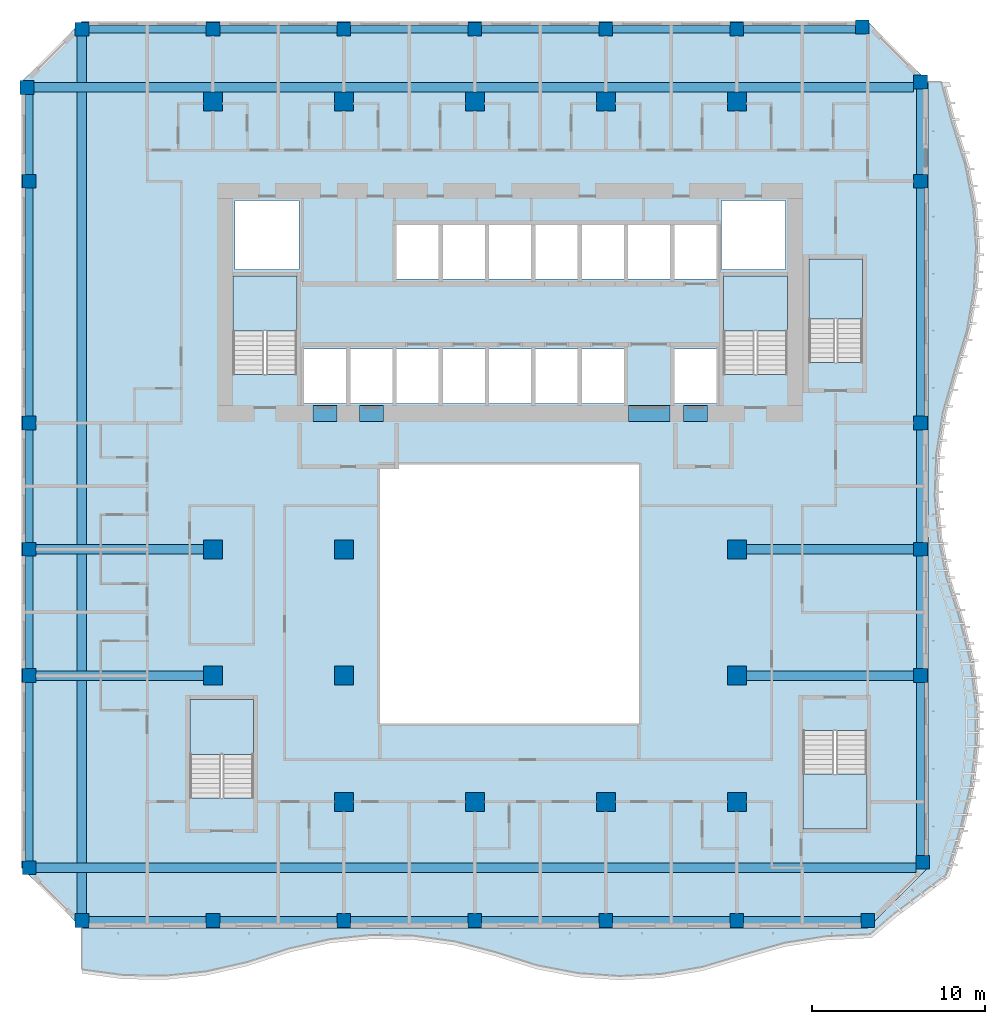
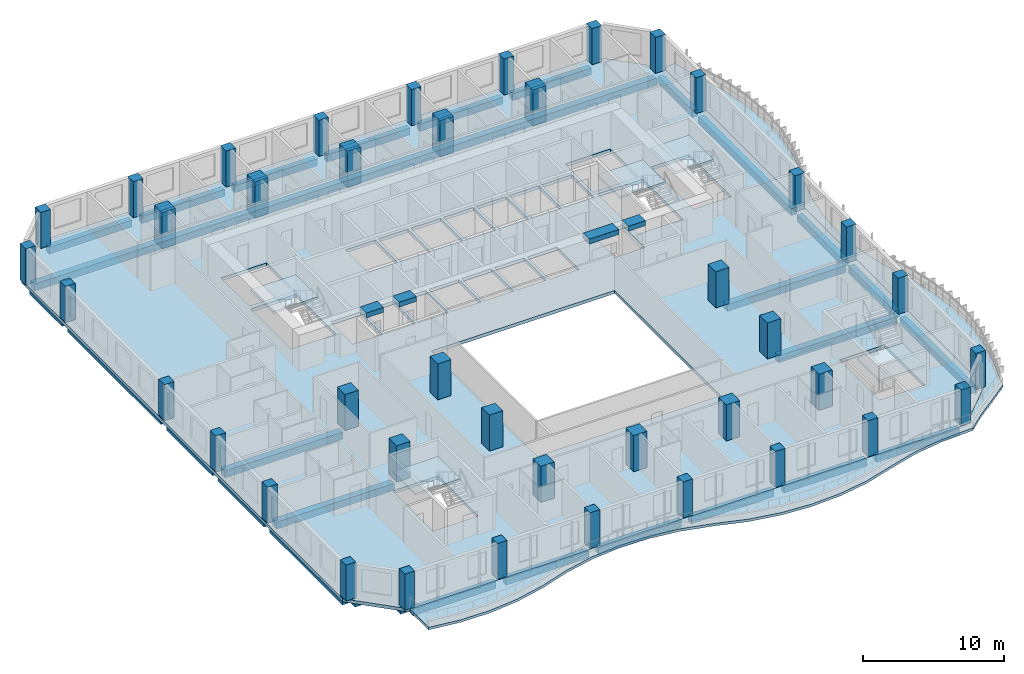
# One storey, part 1 of 22: 41 columns, 33 beams, 7 slabs, 5 elements without a shape of their own.
"""IFC4 building model written with IfcOpenShell, lengths in metres."""

from ifc_helpers import new_model, si_unit, direction, frame, origin, origin_2d, place, context, subcontext, project, spatial, polyline, rectangle, outline, extrude, source, transform, mapped, material, layer, layer_set, material_profile, profile_set, type_object, element, aggregate, save


model = new_model("IFC4")

# Units and contexts
model_context = context("Model", 3, precision=1e-05, world=origin(), true_north=direction((0.0, 1.0)))
body_context = subcontext(model_context, "Body", "Model", "MODEL_VIEW")
ifc_project = project(units=[si_unit("LENGTHUNIT", "METRE"), si_unit("AREAUNIT", "SQUARE_METRE"), si_unit("VOLUMEUNIT", "CUBIC_METRE"), si_unit("PLANEANGLEUNIT", "RADIAN"), si_unit("MASSUNIT", "GRAM", prefix="KILO")], contexts=[model_context])

# Site, building, storey
site_placement = place(None, origin())
site = spatial("IfcSite", under=ifc_project, at=site_placement, CompositionType="ELEMENT")
building_placement = place(site_placement, origin())
building = spatial("IfcBuilding", under=site, at=building_placement, Name="Kilnfold Tower and Market Hall", CompositionType="ELEMENT")
storey_placement = place(building_placement, frame((0.0, 0.0, 143.89990234375)))
storey = spatial("IfcBuildingStorey", under=building, at=storey_placement, Name="L32", CompositionType="ELEMENT", Elevation=143.89990234375)

# Columns
ifc_material_1 = material(Name="Concrete C70", Category="concrete")
ifc_material_profile_1 = material_profile(ifc_material_1, rectangle(XDim=0.800048828125, YDim=0.800048828125, at=origin_2d()), Name="RC 800x800")
ifc_profile_set_1 = profile_set([ifc_material_profile_1], Name="Concrete C70")
column_type_1 = type_object("IfcColumnType", Name="COLUMN 800X800 C70", PredefinedType="COLUMN", material=ifc_profile_set_1)
shared_shape_1 = source(origin(), body_context, "Body", "SweptSolid", [
    extrude(rectangle(XDim=0.800048828125, YDim=0.800048828125, at=origin_2d()), origin(), (0.0, 0.0, 1.0), 3.1201171875),
])
for number, where, z_axis, x_axis, name in (
    (1, (-26.931884765625, 27.431884765625, 0.0), (0.0, 0.0, 1.0), (1.0, 0.0, 0.0), "Column C-B4-1I"),
    (2, (-26.800048828125, -17.75, 0.0), (0.0, 0.0, 1.0), (1.0, 0.0, 0.0), "Column C-B4-1B"),
    (3, (-26.800048828125, -6.625, 0.0), (0.0, 0.0, 1.0), (1.0, 0.0, 0.0), "Column C-B4-1D"),
    (4, (-26.800048828125, 0.6875, 0.0), (0.0, 0.0, 1.0), (1.0, 0.0, 0.0), "Column C-B4-1E"),
    (5, (-26.800048828125, 8.0, 0.0), (0.0, 0.0, 1.0), (1.0, 0.0, 0.0), "Column C-B4-1F"),
    (6, (-26.800048828125, 22.0, 0.0), (0.0, 0.0, 1.0), (1.0, 0.0, 0.0), "Column C-B4-1G"),
    (7, (-23.75, -20.800048828125, 0.0), (0.0, 0.0, 1.0), (1.0, 0.0, 0.0), "Column C-B4-2A"),
    (8, (-23.75, 30.800048828125, 0.0), (0.0, 0.0, 1.0), (1.0, 0.0, 0.0), "Column C-B4-2J"),
    (9, (-16.166748046875, -20.800048828125, 0.0), (0.0, 0.0, 1.0), (1.0, 0.0, 0.0), "Column C-B4-3A"),
    (10, (-16.166748046875, 30.800048828125, 0.0), (0.0, 0.0, 1.0), (1.0, 0.0, 0.0), "Column C-B4-3J"),
    (11, (-8.583251953125, -20.800048828125, 0.0), (0.0, 0.0, 1.0), (1.0, 0.0, 0.0), "Column C-B4-4A"),
    (12, (-8.583251953125, 30.800048828125, 0.0), (0.0, 0.0, 1.0), (1.0, 0.0, 0.0), "Column C-B4-4J"),
    (13, (-1.0, -20.800048828125, 0.0), (0.0, 0.0, 1.0), (1.0, 0.0, 0.0), "Column C-B4-5A"),
    (14, (-1.0, 30.800048828125, 0.0), (0.0, 0.0, 1.0), (1.0, 0.0, 0.0), "Column C-B4-5J"),
    (15, (6.583251953125, -20.800048828125, 0.0), (0.0, 0.0, 1.0), (1.0, 0.0, 0.0), "Column C-B4-6A"),
    (16, (6.583251953125, 30.800048828125, 0.0), (0.0, 0.0, 1.0), (1.0, 0.0, 0.0), "Column C-B4-6J"),
    (17, (14.166748046875, -20.800048828125, 0.0), (0.0, 0.0, 1.0), (1.0, 0.0, 0.0), "Column C-B4-7A"),
    (18, (14.166748046875, 30.800048828125, 0.0), (0.0, 0.0, 1.0), (1.0, 0.0, 0.0), "Column C-B4-7J"),
    (19, (21.431884765625, 30.931884765625, 0.0), (0.0, 0.0, 1.0), (1.0, 0.0, 0.0), "Column C-B4-8J"),
    (20, (21.75, -20.800048828125, 0.0), (0.0, 0.0, 1.0), (1.0, 0.0, 0.0), "Column C-B4-8A"),
    (21, (24.800048828125, -6.625, 0.0), (0.0, 0.0, 1.0), (1.0, 0.0, 0.0), "Column C-B4-9D"),
    (22, (24.800048828125, 0.6875, 0.0), (0.0, 0.0, 1.0), (1.0, 0.0, 0.0), "Column C-B4-9E"),
    (23, (24.800048828125, 8.0, 0.0), (0.0, 0.0, 1.0), (1.0, 0.0, 0.0), "Column C-B4-9F"),
    (24, (24.800048828125, 22.0, 0.0), (0.0, 0.0, 1.0), (1.0, 0.0, 0.0), "Column C-B4-9G"),
    (25, (24.800048828125, 27.75, 0.0), (0.0, 0.0, 1.0), (1.0, 0.0, 0.0), "Column C-B4-9I"),
    (26, (24.931884765625, -17.431884765625, 0.0), (0.0, 0.0, 1.0), (1.0, 0.0, 0.0), "Column C-B4-9B"),
):
    element("IfcColumn", number, at=place(storey_placement, frame(where, z_axis=z_axis, x_axis=x_axis)), inside=storey, type_object=column_type_1, Name=name, PredefinedType="COLUMN", context=body_context, shape_type="MappedRepresentation", body=[
        mapped(shared_shape_1, transform((0.0, 0.0, 0.0))),
    ])
ifc_material_2 = material(Name="Concrete C70", Category="concrete")
ifc_material_profile_2 = material_profile(ifc_material_2, rectangle(XDim=1.10009765625, YDim=1.10009765625, at=origin_2d()), Name="RC 1100x1100")
ifc_profile_set_2 = profile_set([ifc_material_profile_2], Name="Concrete C70")
column_type_2 = type_object("IfcColumnType", Name="COLUMN 1100X1100 C70", PredefinedType="COLUMN", material=ifc_profile_set_2)
shared_shape_2 = source(origin(), body_context, "Body", "SweptSolid", [
    extrude(rectangle(XDim=1.10009765625, YDim=1.10009765625, at=origin_2d()), origin(), (0.0, 0.0, 1.0), 3.1201171875),
])
for number, where, z_axis, x_axis, name in (
    (27, (-16.166748046875, -6.625, 0.0), (0.0, 0.0, 1.0), (1.0, 0.0, 0.0), "Column C-B4-3D"),
    (28, (-16.166748046875, 0.6875, 0.0), (0.0, 0.0, 1.0), (1.0, 0.0, 0.0), "Column C-B4-3E"),
    (29, (-16.166748046875, 26.625, 0.0), (0.0, 0.0, 1.0), (1.0, 0.0, 0.0), "Column C-B4-3H"),
    (30, (-8.583251953125, -13.9375, 0.0), (0.0, 0.0, 1.0), (1.0, 0.0, 0.0), "Column C-B4-4C"),
    (31, (-8.583251953125, -6.625, 0.0), (0.0, 0.0, 1.0), (1.0, 0.0, 0.0), "Column C-B4-4D"),
    (32, (-8.583251953125, 0.6875, 0.0), (0.0, 0.0, 1.0), (1.0, 0.0, 0.0), "Column C-B4-4E"),
    (33, (-8.583251953125, 26.625, 0.0), (0.0, 0.0, 1.0), (1.0, 0.0, 0.0), "Column C-B4-4H"),
    (34, (-1.0, -13.9375, 0.0), (0.0, 0.0, 1.0), (1.0, 0.0, 0.0), "Column C-B4-5C"),
    (35, (-1.0, 26.625, 0.0), (0.0, 0.0, 1.0), (1.0, 0.0, 0.0), "Column C-B4-5H"),
    (36, (6.583251953125, -13.9375, 0.0), (0.0, 0.0, 1.0), (1.0, 0.0, 0.0), "Column C-B4-6C"),
    (37, (6.583251953125, 26.625, 0.0), (0.0, 0.0, 1.0), (1.0, 0.0, 0.0), "Column C-B4-6H"),
    (38, (14.166748046875, -13.9375, 0.0), (0.0, 0.0, 1.0), (1.0, 0.0, 0.0), "Column C-B4-7C"),
    (39, (14.166748046875, -6.625, 0.0), (0.0, 0.0, 1.0), (1.0, 0.0, 0.0), "Column C-B4-7D"),
    (40, (14.166748046875, 0.6875, 0.0), (0.0, 0.0, 1.0), (1.0, 0.0, 0.0), "Column C-B4-7E"),
    (41, (14.166748046875, 26.625, 0.0), (0.0, 0.0, 1.0), (1.0, 0.0, 0.0), "Column C-B4-7H"),
):
    element("IfcColumn", number, at=place(storey_placement, frame(where, z_axis=z_axis, x_axis=x_axis)), inside=storey, type_object=column_type_2, Name=name, PredefinedType="COLUMN", context=body_context, shape_type="MappedRepresentation", body=[
        mapped(shared_shape_2, transform((0.0, 0.0, 0.0))),
    ])

# Beams
ifc_material_3 = material(Name="Concrete C70", Category="concrete")
ifc_material_profile_3 = material_profile(ifc_material_3, rectangle(XDim=0.89990234375, YDim=0.419921875, at=origin_2d()), Name="RC 900x420")
ifc_profile_set_3 = profile_set([ifc_material_profile_3], Name="Concrete C70")
beam_type_1 = type_object("IfcBeamType", Name="COUPLING BEAM 900X420 C70", PredefinedType="BEAM", material=ifc_profile_set_3)
shared_shape_3 = source(origin(), body_context, "Body", "SweptSolid", [
    extrude(rectangle(XDim=0.89990234375, YDim=0.419921875, at=origin_2d()), origin(), (0.0, 0.0, 1.0), 1.400146484375),
])
beam_1_placement = place(storey_placement, frame((-10.3701171875, 8.550048828125, 2.91015625), z_axis=(1.0, 0.0, 0.0), x_axis=(0.0, 1.0, 0.0)))
element("IfcBeam", 42, at=beam_1_placement, inside=storey, type_object=beam_type_1, Name="Coupling beam CB420-70-CORE.37", PredefinedType="BEAM", context=body_context, shape_type="MappedRepresentation", body=[
    mapped(shared_shape_3, transform((0.0, 0.0, 0.0))),
])
shared_shape_4 = source(origin(), body_context, "Body", "SweptSolid", [
    extrude(rectangle(XDim=0.89990234375, YDim=0.419921875, at=origin_2d()), origin(), (0.0, 0.0, 1.0), 1.39990234375),
])
for number, where, z_axis, x_axis, name in (
    (43, (-7.68994140625, 8.550048828125, 2.91015625), (1.0, 0.0, 0.0), (0.0, 1.0, 0.0), "Coupling beam CB420-70-CORE.38"),
    (44, (11.070068359375, 8.550048828125, 2.91015625), (1.0, 0.0, 0.0), (0.0, 1.0, 0.0), "Coupling beam CB420-70-CORE.40"),
):
    element("IfcBeam", number, at=place(storey_placement, frame(where, z_axis=z_axis, x_axis=x_axis)), inside=storey, type_object=beam_type_1, Name=name, PredefinedType="BEAM", context=body_context, shape_type="MappedRepresentation", body=[
        mapped(shared_shape_4, transform((0.0, 0.0, 0.0))),
    ])
shared_shape_5 = source(origin(), body_context, "Body", "SweptSolid", [
    extrude(rectangle(XDim=0.89990234375, YDim=0.419921875, at=origin_2d()), origin(), (0.0, 0.0, 1.0), 2.400146484375),
])
beam_2_placement = place(storey_placement, frame((7.889892578125, 8.550048828125, 2.91015625), z_axis=(1.0, 0.0, 0.0), x_axis=(0.0, 1.0, 0.0)))
element("IfcBeam", 45, at=beam_2_placement, inside=storey, type_object=beam_type_1, Name="Coupling beam CB420-70-CORE.39", PredefinedType="BEAM", context=body_context, shape_type="MappedRepresentation", body=[
    mapped(shared_shape_5, transform((0.0, 0.0, 0.0))),
])
ifc_material_4 = material(Name="Concrete C45", Category="concrete")
ifc_material_profile_4 = material_profile(ifc_material_4, rectangle(XDim=0.449951171875, YDim=0.60009765625, at=origin_2d()), Name="RC 450x600")
ifc_profile_set_4 = profile_set([ifc_material_profile_4], Name="Concrete C45")
beam_type_2 = type_object("IfcBeamType", Name="EDGE BEAM 450X600 C45", PredefinedType="BEAM", material=ifc_profile_set_4)
shared_shape_6 = source(origin(), body_context, "Body", "SweptSolid", [
    extrude(rectangle(XDim=0.449951171875, YDim=0.60009765625, at=origin_2d()), origin(), (0.0, 0.0, 1.0), 6.783447265625),
])
for number, where, z_axis, x_axis, name in (
    (46, (-23.35009765625, -20.800048828125, -0.579833984375), (1.0, 0.0, 0.0), (0.0, 1.0, 0.0), "Beam EB600-B4.76"),
    (47, (-8.183349609375, -20.800048828125, -0.579833984375), (1.0, 0.0, 0.0), (0.0, 1.0, 0.0), "Beam EB600-B4.78"),
    (48, (-0.60009765625, -20.800048828125, -0.579833984375), (1.0, 0.0, 0.0), (0.0, 1.0, 0.0), "Beam EB600-B4.79"),
    (49, (14.566650390625, -20.800048828125, -0.579833984375), (1.0, 0.0, 0.0), (0.0, 1.0, 0.0), "Beam EB600-B4.81"),
    (50, (-23.35009765625, 30.800048828125, -0.579833984375), (1.0, 0.0, 0.0), (0.0, 1.0, 0.0), "Beam EB600-B4.88"),
    (51, (-8.183349609375, 30.800048828125, -0.579833984375), (1.0, 0.0, 0.0), (0.0, 1.0, 0.0), "Beam EB600-B4.90"),
    (52, (-0.60009765625, 30.800048828125, -0.579833984375), (1.0, 0.0, 0.0), (0.0, 1.0, 0.0), "Beam EB600-B4.91"),
):
    element("IfcBeam", number, at=place(storey_placement, frame(where, z_axis=z_axis, x_axis=x_axis)), inside=storey, type_object=beam_type_2, Name=name, PredefinedType="BEAM", context=body_context, shape_type="MappedRepresentation", body=[
        mapped(shared_shape_6, transform((0.0, 0.0, 0.0))),
    ])
shared_shape_7 = source(origin(), body_context, "Body", "SweptSolid", [
    extrude(rectangle(XDim=0.449951171875, YDim=0.60009765625, at=origin_2d()), origin(), (0.0, 0.0, 1.0), 6.783203125),
])
for number, where, z_axis, x_axis, name in (
    (53, (-15.7666015625, -20.800048828125, -0.579833984375), (1.0, 0.0, 0.0), (0.0, 1.0, 0.0), "Beam EB600-B4.77"),
    (54, (6.9833984375, -20.800048828125, -0.579833984375), (1.0, 0.0, 0.0), (0.0, 1.0, 0.0), "Beam EB600-B4.80"),
    (55, (-15.7666015625, 30.800048828125, -0.579833984375), (1.0, 0.0, 0.0), (0.0, 1.0, 0.0), "Beam EB600-B4.89"),
    (56, (6.9833984375, 30.800048828125, -0.579833984375), (1.0, 0.0, 0.0), (0.0, 1.0, 0.0), "Beam EB600-B4.92"),
):
    element("IfcBeam", number, at=place(storey_placement, frame(where, z_axis=z_axis, x_axis=x_axis)), inside=storey, type_object=beam_type_2, Name=name, PredefinedType="BEAM", context=body_context, shape_type="MappedRepresentation", body=[
        mapped(shared_shape_7, transform((0.0, 0.0, 0.0))),
    ])
ifc_material_5 = material(Name="Concrete C45", Category="concrete")
ifc_material_profile_5 = material_profile(ifc_material_5, rectangle(XDim=0.550048828125, YDim=0.60009765625, at=origin_2d()), Name="RC 550x600")
ifc_profile_set_5 = profile_set([ifc_material_profile_5], Name="Concrete C45")
beam_type_3 = type_object("IfcBeamType", Name="BEAM 550X600 C45", PredefinedType="BEAM", material=ifc_profile_set_5)
shared_shape_8 = source(origin(), body_context, "Body", "SweptSolid", [
    extrude(rectangle(XDim=0.550048828125, YDim=0.60009765625, at=origin_2d()), origin(), (0.0, 0.0, 1.0), 50.931640625),
])
for number, where, z_axis, x_axis, name in (
    (57, (-26.39990234375, -17.75, -0.579833984375), (1.0, 0.0, 0.0), (0.0, 1.0, 0.0), "Beam BB600-B4.82"),
    (58, (-26.53173828125, 27.429931640625, -0.579833984375), (1.0, 0.0, 0.0), (0.0, 1.0, 0.0), "Beam BB600-B4.87"),
):
    element("IfcBeam", number, at=place(storey_placement, frame(where, z_axis=z_axis, x_axis=x_axis)), inside=storey, type_object=beam_type_3, Name=name, PredefinedType="BEAM", context=body_context, shape_type="MappedRepresentation", body=[
        mapped(shared_shape_8, transform((0.0, 0.0, 0.0))),
    ])
shared_shape_9 = source(origin(), body_context, "Body", "SweptSolid", [
    extrude(rectangle(XDim=0.550048828125, YDim=0.60009765625, at=origin_2d()), origin(), (0.0, 0.0, 1.0), 9.68310546875),
])
for number, where, z_axis, x_axis, name in (
    (59, (-26.39990234375, -6.6201171875, -0.579833984375), (1.0, 0.0, 0.0), (0.0, 1.0, 0.0), "Beam BB600-B4.83"),
    (60, (14.716796875, -6.6201171875, -0.579833984375), (1.0, 0.0, 0.0), (0.0, 1.0, 0.0), "Beam BB600-B4.84"),
    (61, (-26.39990234375, 0.68994140625, -0.579833984375), (1.0, 0.0, 0.0), (0.0, 1.0, 0.0), "Beam BB600-B4.85"),
    (62, (14.716796875, 0.68994140625, -0.579833984375), (1.0, 0.0, 0.0), (0.0, 1.0, 0.0), "Beam BB600-B4.86"),
):
    element("IfcBeam", number, at=place(storey_placement, frame(where, z_axis=z_axis, x_axis=x_axis)), inside=storey, type_object=beam_type_3, Name=name, PredefinedType="BEAM", context=body_context, shape_type="MappedRepresentation", body=[
        mapped(shared_shape_9, transform((0.0, 0.0, 0.0))),
    ])
shared_shape_10 = source(origin(), body_context, "Body", "SweptSolid", [
    extrude(rectangle(XDim=0.449951171875, YDim=0.60009765625, at=origin_2d()), origin(), (0.0, 0.0, 1.0), 6.465087890625),
])
beam_3_placement = place(storey_placement, frame((14.566650390625, 30.800048828125, -0.579833984375), z_axis=(1.0, 0.0, 0.0), x_axis=(0.0, 1.0, 0.0)))
element("IfcBeam", 63, at=beam_3_placement, inside=storey, type_object=beam_type_2, Name="Beam EB600-B4.93", PredefinedType="BEAM", context=body_context, shape_type="MappedRepresentation", body=[
    mapped(shared_shape_10, transform((0.0, 0.0, 0.0))),
])
shared_shape_11 = source(origin(), body_context, "Body", "SweptSolid", [
    extrude(rectangle(XDim=0.449951171875, YDim=0.60009765625, at=origin_2d()), origin(), (0.0, 0.0, 1.0), 10.3251953125),
])
beam_4_placement = place(storey_placement, frame((-26.800048828125, -17.35009765625, -0.579833984375), z_axis=(0.0, 1.0, 0.0), x_axis=(-1.0, 0.0, 0.0)))
element("IfcBeam", 64, at=beam_4_placement, inside=storey, type_object=beam_type_2, Name="Beam EB600-B4.94", PredefinedType="BEAM", context=body_context, shape_type="MappedRepresentation", body=[
    mapped(shared_shape_11, transform((0.0, 0.0, 0.0))),
])
shared_shape_12 = source(origin(), body_context, "Body", "SweptSolid", [
    extrude(rectangle(XDim=0.449951171875, YDim=0.60009765625, at=origin_2d()), origin(), (0.0, 0.0, 1.0), 6.5126953125),
])
for number, where, z_axis, x_axis, name in (
    (65, (-26.800048828125, -6.22509765625, -0.579833984375), (0.0, 1.0, 0.0), (-1.0, 0.0, 0.0), "Beam EB600-B4.95"),
    (66, (-26.800048828125, 1.08740234375, -0.579833984375), (0.0, 1.0, 0.0), (-1.0, 0.0, 0.0), "Beam EB600-B4.96"),
    (67, (24.800048828125, -6.22509765625, -0.579833984375), (0.0, 1.0, 0.0), (-1.0, 0.0, 0.0), "Beam EB600-B4.101"),
    (68, (24.800048828125, 1.08740234375, -0.579833984375), (0.0, 1.0, 0.0), (-1.0, 0.0, 0.0), "Beam EB600-B4.102"),
):
    element("IfcBeam", number, at=place(storey_placement, frame(where, z_axis=z_axis, x_axis=x_axis)), inside=storey, type_object=beam_type_2, Name=name, PredefinedType="BEAM", context=body_context, shape_type="MappedRepresentation", body=[
        mapped(shared_shape_12, transform((0.0, 0.0, 0.0))),
    ])
shared_shape_13 = source(origin(), body_context, "Body", "SweptSolid", [
    extrude(rectangle(XDim=0.449951171875, YDim=0.60009765625, at=origin_2d()), origin(), (0.0, 0.0, 1.0), 13.2001953125),
])
for number, where, z_axis, x_axis, name in (
    (69, (-26.800048828125, 8.39990234375, -0.579833984375), (0.0, 1.0, 0.0), (-1.0, 0.0, 0.0), "Beam EB600-B4.97"),
    (70, (24.800048828125, 8.39990234375, -0.579833984375), (0.0, 1.0, 0.0), (-1.0, 0.0, 0.0), "Beam EB600-B4.103"),
):
    element("IfcBeam", number, at=place(storey_placement, frame(where, z_axis=z_axis, x_axis=x_axis)), inside=storey, type_object=beam_type_2, Name=name, PredefinedType="BEAM", context=body_context, shape_type="MappedRepresentation", body=[
        mapped(shared_shape_13, transform((0.0, 0.0, 0.0))),
    ])
shared_shape_14 = source(origin(), body_context, "Body", "SweptSolid", [
    extrude(rectangle(XDim=0.449951171875, YDim=0.60009765625, at=origin_2d()), origin(), (0.0, 0.0, 1.0), 4.6318359375),
])
beam_5_placement = place(storey_placement, frame((-26.800048828125, 22.39990234375, -0.579833984375), z_axis=(0.0, 1.0, 0.0), x_axis=(-1.0, 0.0, 0.0)))
element("IfcBeam", 71, at=beam_5_placement, inside=storey, type_object=beam_type_2, Name="Beam EB600-B4.98", PredefinedType="BEAM", context=body_context, shape_type="MappedRepresentation", body=[
    mapped(shared_shape_14, transform((0.0, 0.0, 0.0))),
])
shared_shape_15 = source(origin(), body_context, "Body", "SweptSolid", [
    extrude(rectangle(XDim=0.550048828125, YDim=0.60009765625, at=origin_2d()), origin(), (0.0, 0.0, 1.0), 50.7998046875),
])
beam_6_placement = place(storey_placement, frame((-23.75, -20.39990234375, -0.579833984375), z_axis=(0.0, 1.0, 0.0), x_axis=(-1.0, 0.0, 0.0)))
element("IfcBeam", 72, at=beam_6_placement, inside=storey, type_object=beam_type_3, Name="Beam BB600-B4.99", PredefinedType="BEAM", context=body_context, shape_type="MappedRepresentation", body=[
    mapped(shared_shape_15, transform((0.0, 0.0, 0.0))),
])
shared_shape_16 = source(origin(), body_context, "Body", "SweptSolid", [
    extrude(rectangle(XDim=0.449951171875, YDim=0.60009765625, at=origin_2d()), origin(), (0.0, 0.0, 1.0), 10.0068359375),
])
beam_7_placement = place(storey_placement, frame((24.800048828125, -17.03173828125, -0.579833984375), z_axis=(0.0, 1.0, 0.0), x_axis=(-1.0, 0.0, 0.0)))
element("IfcBeam", 73, at=beam_7_placement, inside=storey, type_object=beam_type_2, Name="Beam EB600-B4.100", PredefinedType="BEAM", context=body_context, shape_type="MappedRepresentation", body=[
    mapped(shared_shape_16, transform((0.0, 0.0, 0.0))),
])
shared_shape_17 = source(origin(), body_context, "Body", "SweptSolid", [
    extrude(rectangle(XDim=0.449951171875, YDim=0.60009765625, at=origin_2d()), origin(), (0.0, 0.0, 1.0), 4.9501953125),
])
beam_8_placement = place(storey_placement, frame((24.800048828125, 22.39990234375, -0.579833984375), z_axis=(0.0, 1.0, 0.0), x_axis=(-1.0, 0.0, 0.0)))
element("IfcBeam", 74, at=beam_8_placement, inside=storey, type_object=beam_type_2, Name="Beam EB600-B4.104", PredefinedType="BEAM", context=body_context, shape_type="MappedRepresentation", body=[
    mapped(shared_shape_17, transform((0.0, 0.0, 0.0))),
])

# Slabs
ifc_material_6 = material(Name="Concrete C45", Category="concrete")
ifc_layer_1 = layer(ifc_material_6, 0.280029296875)
ifc_layer_set_1 = layer_set([ifc_layer_1], Name="Concrete C45")
slab_type_1 = type_object("IfcSlabType", Name="FLOOR SLAB 280", PredefinedType="FLOOR", material=ifc_layer_set_1)
shared_shape_18 = source(origin(), body_context, "Body", "SweptSolid", [
    extrude(outline(polyline([(-23.75, -21.25), (21.75, -21.25), (25.25, -17.75), (25.25, 27.75), (21.75, 31.25), (-23.75, 31.25), (-27.25, 27.75), (-27.25, -17.75), (-23.75, -21.25)]), holes=[polyline([(-13.800537109375, -13.699462890625), (-17.49951171875, -13.699462890625), (-17.49951171875, -8.00048828125), (-13.800537109375, -8.00048828125), (-13.800537109375, -13.699462890625)]), polyline([(-14.99951171875, 10.800537109375), (-14.99951171875, 16.49951171875), (-11.300537109375, 16.49951171875), (-11.300537109375, 10.800537109375), (-14.99951171875, 10.800537109375)]), polyline([(-11.175048828125, 16.875), (-14.875, 16.875), (-14.875, 20.875), (-11.175048828125, 20.875), (-11.175048828125, 16.875)]), polyline([(-8.455078125, 9.125), (-10.885009765625, 9.125), (-10.885009765625, 12.27490234375), (-8.455078125, 12.27490234375), (-8.455078125, 9.125)]), polyline([(-8.205078125, 9.125), (-8.205078125, 12.27490234375), (-5.77490234375, 12.27490234375), (-5.77490234375, 9.125), (-8.205078125, 9.125)]), polyline([(8.5, -9.39990234375), (-6.5, -9.39990234375), (-6.5, 5.60009765625), (8.5, 5.60009765625), (8.5, -9.39990234375)]), polyline([(-5.52490234375, 9.125), (-5.52490234375, 12.27490234375), (-3.094970703125, 12.27490234375), (-3.094970703125, 9.125), (-5.52490234375, 9.125)]), polyline([(-3.094970703125, 16.324951171875), (-5.52490234375, 16.324951171875), (-5.52490234375, 19.47509765625), (-3.094970703125, 19.47509765625), (-3.094970703125, 16.324951171875)]), polyline([(-0.4150390625, 9.125), (-2.844970703125, 9.125), (-2.844970703125, 12.27490234375), (-0.4150390625, 12.27490234375), (-0.4150390625, 9.125)]), polyline([(-2.844970703125, 16.324951171875), (-2.844970703125, 19.47509765625), (-0.4150390625, 19.47509765625), (-0.4150390625, 16.324951171875), (-2.844970703125, 16.324951171875)]), polyline([(-0.1650390625, 9.125), (-0.1650390625, 12.27490234375), (2.264892578125, 12.27490234375), (2.264892578125, 9.125), (-0.1650390625, 9.125)]), polyline([(-0.1650390625, 16.324951171875), (-0.1650390625, 19.47509765625), (2.264892578125, 19.47509765625), (2.264892578125, 16.324951171875), (-0.1650390625, 16.324951171875)]), polyline([(2.514892578125, 9.125), (2.514892578125, 12.27490234375), (4.945068359375, 12.27490234375), (4.945068359375, 9.125), (2.514892578125, 9.125)]), polyline([(2.514892578125, 16.324951171875), (2.514892578125, 19.47509765625), (4.945068359375, 19.47509765625), (4.945068359375, 16.324951171875), (2.514892578125, 16.324951171875)]), polyline([(7.625, 9.125), (5.195068359375, 9.125), (5.195068359375, 12.27490234375), (7.625, 12.27490234375), (7.625, 9.125)]), polyline([(5.195068359375, 16.324951171875), (5.195068359375, 19.47509765625), (7.625, 19.47509765625), (7.625, 16.324951171875), (5.195068359375, 16.324951171875)]), polyline([(10.304931640625, 16.324951171875), (7.875, 16.324951171875), (7.875, 19.47509765625), (10.304931640625, 19.47509765625), (10.304931640625, 16.324951171875)]), polyline([(10.554931640625, 9.125), (10.554931640625, 12.27490234375), (12.985107421875, 12.27490234375), (12.985107421875, 9.125), (10.554931640625, 9.125)]), polyline([(10.554931640625, 16.324951171875), (10.554931640625, 19.47509765625), (12.985107421875, 19.47509765625), (12.985107421875, 16.324951171875), (10.554931640625, 16.324951171875)]), polyline([(13.27490234375, 16.875), (13.27490234375, 20.875), (16.97509765625, 20.875), (16.97509765625, 16.875), (13.27490234375, 16.875)]), polyline([(13.400390625, 10.800537109375), (13.400390625, 16.49951171875), (17.099609375, 16.49951171875), (17.099609375, 10.800537109375), (13.400390625, 10.800537109375)]), polyline([(21.699462890625, -9.800537109375), (21.699462890625, -15.49951171875), (18.00048828125, -15.49951171875), (18.00048828125, -9.800537109375), (21.699462890625, -9.800537109375)]), polyline([(21.449462890625, 11.50048828125), (18.3505859375, 11.50048828125), (18.3505859375, 17.49951171875), (21.449462890625, 17.49951171875), (21.449462890625, 11.50048828125)])]), origin(), (0.0, 0.0, 1.0), 0.280029296875),
])
slab_1_placement = place(storey_placement, frame((0.0, 0.0, -0.280029296875)))
element("IfcSlab", 75, at=slab_1_placement, inside=storey, type_object=slab_type_1, Name="Floor slab L32", PredefinedType="FLOOR", context=body_context, shape_type="MappedRepresentation", body=[
    mapped(shared_shape_18, transform((0.0, 0.0, 0.0))),
])
ifc_material_7 = material(Name="Concrete C40/50", Category="concrete")
ifc_layer_2 = layer(ifc_material_7, 0.219970703125)
ifc_layer_set_2 = layer_set([ifc_layer_2], Name="Concrete C40/50")
slab_type_2 = type_object("IfcSlabType", Name="BALCONY SLAB 220", PredefinedType="FLOOR", material=ifc_layer_set_2)
shared_shape_19 = source(origin(), body_context, "Body", "SweptSolid", [
    extrude(outline(polyline([(-23.75, -21.25), (21.75, -21.25), (25.25, -17.75), (25.25, 27.75), (26.23388671875, 27.75), (26.86279296875, 25.355224609375), (27.6201171875, 22.96044921875), (28.080810546875, 20.56591796875), (28.248779296875, 18.171142578125), (28.131591796875, 15.7763671875), (27.7236328125, 13.381591796875), (27.007568359375, 10.98681640625), (26.322509765625, 8.592041015625), (25.944091796875, 6.197509765625), (25.85498046875, 3.802490234375), (26.051513671875, 1.407958984375), (26.542236328125, -0.98681640625), (27.31396484375, -3.381591796875), (27.91162109375, -5.7763671875), (28.208984375, -8.171142578125), (28.219482421875, -10.56591796875), (27.943115234375, -12.96044921875), (27.367919921875, -15.355224609375), (26.487548828125, -18.2626953125), (24.7578125, -19.59130859375), (23.41943359375, -20.5859375), (21.981689453125, -21.80908203125), (19.355224609375, -21.94287109375), (16.96044921875, -22.319580078125), (14.56591796875, -23.0029296875), (12.171142578125, -23.720703125), (9.7763671875, -24.130126953125), (7.381591796875, -24.2490234375), (4.98681640625, -24.08251953125), (2.592041015625, -23.623291015625), (0.197509765625, -22.866943359375), (-2.197509765625, -22.236328125), (-4.592041015625, -21.908447265625), (-6.98681640625, -21.868408203125), (-9.381591796875, -22.114501953125), (-11.7763671875, -22.657470703125), (-14.171142578125, -23.43896484375), (-16.56591796875, -23.9833984375), (-18.96044921875, -24.231201171875), (-21.355224609375, -24.1923828125), (-23.75, -23.8662109375), (-23.75, -21.25)])), origin(), (0.0, 0.0, 1.0), 0.219970703125),
])
slab_2_placement = place(storey_placement, frame((0.0, 0.0, -0.219970703125)))
element("IfcSlab", 76, at=slab_2_placement, inside=storey, type_object=slab_type_2, Name="Balcony slab L32", PredefinedType="FLOOR", context=body_context, shape_type="MappedRepresentation", body=[
    mapped(shared_shape_19, transform((0.0, 0.0, 0.0))),
])

# Stair, slab
ifc_material_8 = material(Name="Concrete C40/50", Category="concrete")
stair_type_1 = type_object("IfcStairType", Name="CORE STAIR 1800", PredefinedType="HALF_TURN_STAIR", material=ifc_material_8)
stair_1_placement = place(storey_placement, origin())
stair_1 = element("IfcStair", 77, at=stair_1_placement, inside=storey, type_object=stair_type_1, Name="L32 ST1", PredefinedType="HALF_TURN_STAIR")
ifc_material_9 = material(Name="Concrete C40/50", Category="concrete")
ifc_layer_3 = layer(ifc_material_9, 0.199951171875)
ifc_layer_set_3 = layer_set([ifc_layer_3], Name="Concrete C40/50")
slab_type_3 = type_object("IfcSlabType", Name="CORE STAIR LANDING 200", PredefinedType="LANDING", material=ifc_layer_set_3)
shared_shape_20 = source(origin(), body_context, "Body", "SweptSolid", [
    extrude(outline(polyline([(-11.300048828125, 13.320068359375), (-11.300048828125, 16.5), (-15.0, 16.5), (-15.0, 13.320068359375), (-11.300048828125, 13.320068359375)])), origin(), (0.0, 0.0, 1.0), 0.2001953125),
])
slab_3_placement = place(storey_placement, frame((0.0, 0.0, 1.5)))
slab_3 = element("IfcSlab", 78, at=slab_3_placement, type_object=slab_type_3, Name="ST1 landing 1", PredefinedType="LANDING", context=body_context, shape_type="MappedRepresentation", body=[
    mapped(shared_shape_20, transform((0.0, 0.0, 0.0))),
])
aggregate(stair_1, [slab_3])

stair_2_placement = place(storey_placement, origin())
stair_2 = element("IfcStair", 79, at=stair_2_placement, inside=storey, type_object=stair_type_1, Name="L32 ST2", PredefinedType="HALF_TURN_STAIR")
shared_shape_21 = source(origin(), body_context, "Body", "SweptSolid", [
    extrude(outline(polyline([(17.10009765625, 13.320068359375), (17.10009765625, 16.5), (13.39990234375, 16.5), (13.39990234375, 13.320068359375), (17.10009765625, 13.320068359375)])), origin(), (0.0, 0.0, 1.0), 0.2001953125),
])
slab_4_placement = place(storey_placement, frame((0.0, 0.0, 1.5)))
slab_4 = element("IfcSlab", 80, at=slab_4_placement, type_object=slab_type_3, Name="ST2 landing 1", PredefinedType="LANDING", context=body_context, shape_type="MappedRepresentation", body=[
    mapped(shared_shape_21, transform((0.0, 0.0, 0.0))),
])
aggregate(stair_2, [slab_4])

stair_3_placement = place(storey_placement, origin())
stair_3 = element("IfcStair", 81, at=stair_3_placement, inside=storey, type_object=stair_type_1, Name="L32 ST3", PredefinedType="HALF_TURN_STAIR")
shared_shape_22 = source(origin(), body_context, "Body", "SweptSolid", [
    extrude(outline(polyline([(-13.800048828125, -11.179931640625), (-13.800048828125, -8.0), (-17.5, -8.0), (-17.5, -11.179931640625), (-13.800048828125, -11.179931640625)])), origin(), (0.0, 0.0, 1.0), 0.2001953125),
])
slab_5_placement = place(storey_placement, frame((0.0, 0.0, 1.5)))
slab_5 = element("IfcSlab", 82, at=slab_5_placement, type_object=slab_type_3, Name="ST3 landing 1", PredefinedType="LANDING", context=body_context, shape_type="MappedRepresentation", body=[
    mapped(shared_shape_22, transform((0.0, 0.0, 0.0))),
])
aggregate(stair_3, [slab_5])

stair_4_placement = place(storey_placement, origin())
stair_4 = element("IfcStair", 83, at=stair_4_placement, inside=storey, type_object=stair_type_1, Name="L32 ST4", PredefinedType="HALF_TURN_STAIR")
shared_shape_23 = source(origin(), body_context, "Body", "SweptSolid", [
    extrude(outline(polyline([(18.0, -12.320068359375), (18.0, -15.5), (21.699951171875, -15.5), (21.699951171875, -12.320068359375), (18.0, -12.320068359375)])), origin(), (0.0, 0.0, 1.0), 0.2001953125),
])
slab_6_placement = place(storey_placement, frame((0.0, 0.0, 1.5)))
slab_6 = element("IfcSlab", 84, at=slab_6_placement, type_object=slab_type_3, Name="ST4 landing 1", PredefinedType="LANDING", context=body_context, shape_type="MappedRepresentation", body=[
    mapped(shared_shape_23, transform((0.0, 0.0, 0.0))),
])
aggregate(stair_4, [slab_6])

ifc_material_10 = material(Name="Concrete C40/50", Category="concrete")
stair_type_2 = type_object("IfcStairType", Name="CORE STAIR 1500", PredefinedType="HALF_TURN_STAIR", material=ifc_material_10)
stair_5_placement = place(storey_placement, origin())
stair_5 = element("IfcStair", 85, at=stair_5_placement, inside=storey, type_object=stair_type_2, Name="L32 ST5", PredefinedType="HALF_TURN_STAIR")
shared_shape_24 = source(origin(), body_context, "Body", "SweptSolid", [
    extrude(outline(polyline([(21.449951171875, 14.02001953125), (21.449951171875, 17.5), (18.35009765625, 17.5), (18.35009765625, 14.02001953125), (21.449951171875, 14.02001953125)])), origin(), (0.0, 0.0, 1.0), 0.2001953125),
])
slab_7_placement = place(storey_placement, frame((0.0, 0.0, 1.5)))
slab_7 = element("IfcSlab", 86, at=slab_7_placement, type_object=slab_type_3, Name="ST5 landing 1", PredefinedType="LANDING", context=body_context, shape_type="MappedRepresentation", body=[
    mapped(shared_shape_24, transform((0.0, 0.0, 0.0))),
])
aggregate(stair_5, [slab_7])

save(model, "model.ifc")
